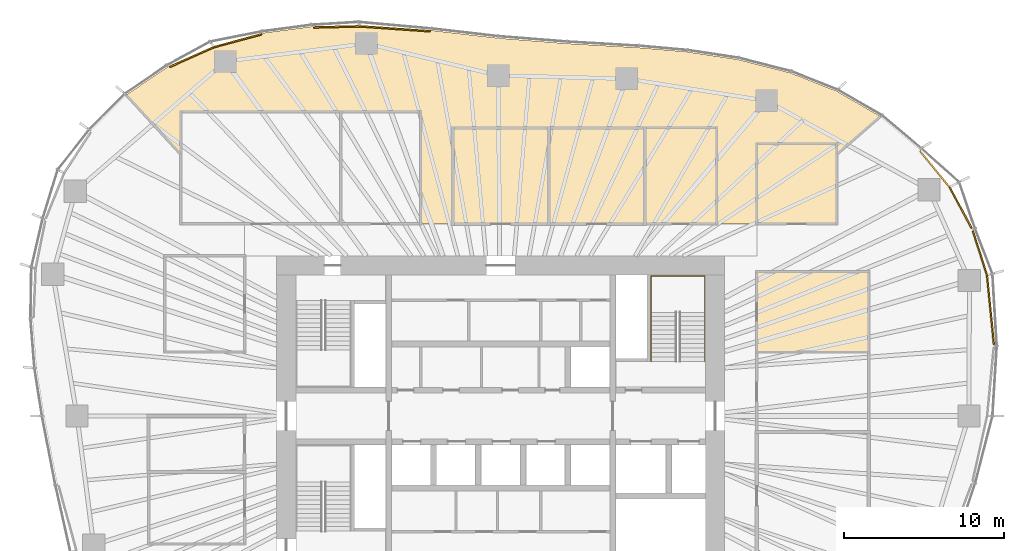
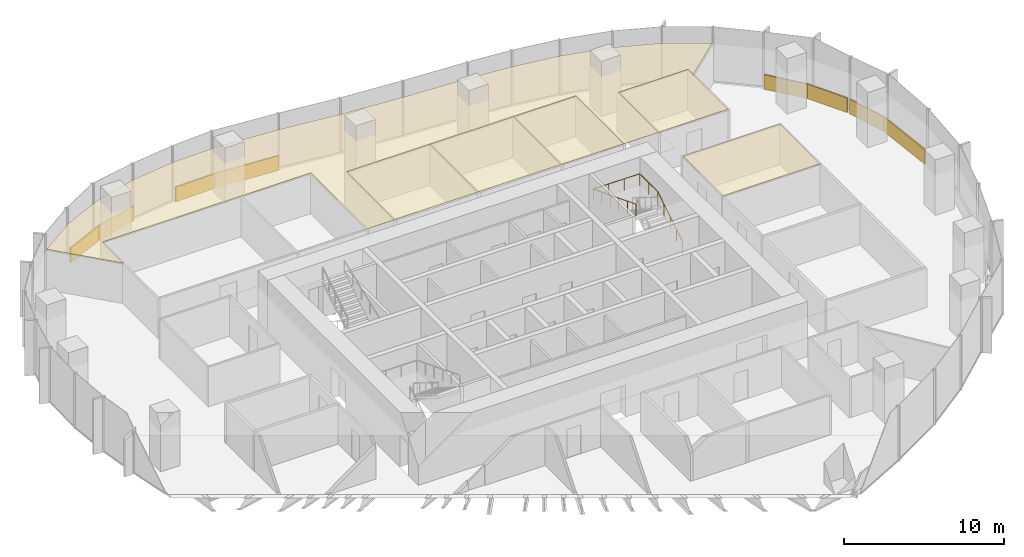
# One storey, part 18 of 18: 14 coverings, 1 railing.
"""IFC4 building model written with IfcOpenShell, lengths in metres."""

from ifc_helpers import new_model, si_unit, direction, frame, origin, origin_2d, place, context, subcontext, project, spatial, polyline, rectangle, circle, outline, extrude, material, layer, layer_set, type_object, element, save


model = new_model("IFC4")

# Units and contexts
model_context = context("Model", 3, precision=1e-05, world=origin(), true_north=direction((0.0, 1.0)))
body_context = subcontext(model_context, "Body", "Model", "MODEL_VIEW")
ifc_project = project(units=[si_unit("LENGTHUNIT", "METRE"), si_unit("AREAUNIT", "SQUARE_METRE"), si_unit("VOLUMEUNIT", "CUBIC_METRE"), si_unit("PLANEANGLEUNIT", "RADIAN"), si_unit("MASSUNIT", "GRAM", prefix="KILO")], contexts=[model_context])

# Site, building, storey
site_placement = place(None, origin())
site = spatial("IfcSite", under=ifc_project, at=site_placement, CompositionType="ELEMENT")
building_placement = place(site_placement, origin())
building = spatial("IfcBuilding", under=site, at=building_placement, Name="Ghaith Harvest Tower", CompositionType="ELEMENT")
storey_placement = place(building_placement, frame((0.0, 0.0, 163.800048828125)))
storey = spatial("IfcBuildingStorey", under=building, at=storey_placement, Name="L35", CompositionType="ELEMENT", Elevation=163.800048828125)

# Coverings
ifc_material_1 = material(Name="Mineral fibre ceiling tile", Category="gypsum")
ifc_layer_1 = layer(ifc_material_1, 0.02001953125)
ifc_layer_set_1 = layer_set([ifc_layer_1], Name="CEILING C1")
covering_type_1 = type_object("IfcCoveringType", Name="CEILING C1", PredefinedType="CEILING", material=ifc_layer_set_1)
covering_1_placement = place(storey_placement, frame((0.0, 0.0, 3.0)))
element("IfcCovering", 1, at=covering_1_placement, inside=storey, type_object=covering_type_1, Name="Ceiling L35-07", PredefinedType="CEILING", context=body_context, shape_type="SweptSolid", body=[
    extrude(outline(polyline([(-3.0, 12.0), (3.0, 12.0), (3.0, 18.0), (-3.0, 18.0), (-3.0, 12.0)])), origin(), (0.0, 0.0, 1.0), 0.02001953125),
])
covering_2_placement = place(storey_placement, frame((0.0, 0.0, 3.0)))
element("IfcCovering", 2, at=covering_2_placement, inside=storey, type_object=covering_type_1, Name="Ceiling L35-08", PredefinedType="CEILING", context=body_context, shape_type="SweptSolid", body=[
    extrude(outline(polyline([(3.0, 12.0), (9.0, 12.0), (9.0, 18.0), (3.0, 18.0), (3.0, 12.0)])), origin(), (0.0, 0.0, 1.0), 0.02001953125),
])
covering_3_placement = place(storey_placement, frame((0.0, 0.0, 3.0)))
element("IfcCovering", 3, at=covering_3_placement, inside=storey, type_object=covering_type_1, Name="Ceiling L35-09", PredefinedType="CEILING", context=body_context, shape_type="SweptSolid", body=[
    extrude(outline(polyline([(9.0, 12.0), (13.5, 12.0), (13.5, 18.0), (9.0, 18.0), (9.0, 12.0)])), origin(), (0.0, 0.0, 1.0), 0.02001953125),
])
covering_4_placement = place(storey_placement, frame((0.0, 0.0, 3.0)))
element("IfcCovering", 4, at=covering_4_placement, inside=storey, type_object=covering_type_1, Name="Ceiling L35-12", PredefinedType="CEILING", context=body_context, shape_type="SweptSolid", body=[
    extrude(outline(polyline([(16.0, 4.0), (23.0, 4.0), (23.0, 9.0), (16.0, 9.0), (16.0, 4.0)])), origin(), (0.0, 0.0, 1.0), 0.02001953125),
])
covering_5_placement = place(storey_placement, frame((0.0, 0.0, 3.0)))
element("IfcCovering", 5, at=covering_5_placement, inside=storey, type_object=covering_type_1, Name="Ceiling L35-15", PredefinedType="CEILING", context=body_context, shape_type="SweptSolid", body=[
    extrude(outline(polyline([(16.0, 12.0), (21.0, 12.0), (21.0, 17.0), (16.0, 17.0), (16.0, 12.0)])), origin(), (0.0, 0.0, 1.0), 0.02001953125),
])
covering_6_placement = place(storey_placement, frame((0.0, 0.0, 3.0)))
element("IfcCovering", 6, at=covering_6_placement, inside=storey, type_object=covering_type_1, Name="Ceiling L35-N1", PredefinedType="CEILING", context=body_context, shape_type="SweptSolid", body=[
    extrude(outline(polyline([(-20.79248046875, 21.82470703125), (-17.938232421875, 23.097412109375), (-14.860595703125, 23.927978515625), (-11.788818359375, 24.331787109375), (-8.814208984375, 24.404541015625), (-4.302001953125, 24.089111328125), (-0.16162109375, 23.609619140625), (4.125732421875, 23.272705078125), (8.604736328125, 23.017333984375), (11.617919921875, 22.757080078125), (14.79833984375, 22.27978515625), (18.0849609375, 21.4462890625), (20.97998046875, 20.3056640625), (23.7275390625, 18.718017578125), (21.0, 16.3466796875), (21.0, 17.0), (16.0, 17.0), (16.0, 12.0), (13.5, 12.0), (13.5, 18.0), (-3.0, 18.0), (-3.0, 12.0), (-5.0, 12.0), (-5.0, 19.0), (-20.0, 19.0), (-20.0, 16.3583984375), (-23.398193359375, 20.06103515625), (-20.79248046875, 21.82470703125)])), origin(), (0.0, 0.0, 1.0), 0.02001953125),
])

# Railing
ifc_material_2 = material(Name="Steel, black powder-coated", Category="steel")
railing_type = type_object("IfcRailingType", Name="HANDRAIL HR1", PredefinedType="HANDRAIL", material=ifc_material_2)
railing_placement = place(storey_placement, frame((12.75, 3.39990234375, 0.175048828125)))
element("IfcRailing", 7, at=railing_placement, inside=storey, type_object=railing_type, Name="Handrail HR1 stair ST2 L35 wall side", PredefinedType="HANDRAIL", context=body_context, shape_type="SweptSolid", body=[
    extrude(circle(Radius=0.02392578125, at=origin_2d()), frame((0.0, 0.0, 0.8759765625), z_axis=(0.0, 0.848028513186, 0.529950602248), x_axis=(-1.0, 0.0, 0.0)), (0.0, 0.0, 1.0), 3.632080078125),
    extrude(circle(Radius=0.02392578125, at=origin_2d()), frame((0.0, 3.080078125, 2.80078125), z_axis=(0.0, 1.0, 0.0), x_axis=(-1.0, 0.0, 0.0)), (0.0, 0.0, 1.0), 2.27001953125),
    extrude(circle(Radius=0.02392578125, at=origin_2d()), frame((0.0, 5.35009765625, 2.80078125), z_axis=(-1.0, 0.0, 0.0), x_axis=(0.0, -1.0, 0.0)), (0.0, 0.0, 1.0), 3.35009765625),
    extrude(circle(Radius=0.02392578125, at=origin_2d()), frame((-3.35009765625, 5.35009765625, 2.80078125), z_axis=(0.0, -0.930853684876, 0.365392141887), x_axis=(1.0, 0.0, 0.0)), (0.0, 0.0, 1.0), 5.74755859375),
    extrude(circle(Radius=0.02099609375, at=origin_2d()), origin(), (0.0, 0.0, 1.0), 0.851806640625),
    extrude(circle(Radius=0.02099609375, at=origin_2d()), frame((0.0, 0.77001953125, 0.481201171875)), (0.0, 0.0, 1.0), 0.851806640625),
    extrude(circle(Radius=0.02099609375, at=origin_2d()), frame((0.0, 1.5400390625, 0.96240234375)), (0.0, 0.0, 1.0), 0.851806640625),
    extrude(circle(Radius=0.02099609375, at=origin_2d()), frame((0.0, 2.31005859375, 1.443603515625)), (0.0, 0.0, 1.0), 0.851806640625),
    extrude(circle(Radius=0.02099609375, at=origin_2d()), frame((0.0, 3.080078125, 1.9248046875)), (0.0, 0.0, 1.0), 0.851806640625),
    extrude(circle(Radius=0.02099609375, at=origin_2d()), frame((0.0, 4.215087890625, 1.9248046875)), (0.0, 0.0, 1.0), 0.851806640625),
    extrude(circle(Radius=0.02099609375, at=origin_2d()), frame((0.0, 5.35009765625, 1.9248046875)), (0.0, 0.0, 1.0), 0.851806640625),
    extrude(circle(Radius=0.02099609375, at=origin_2d()), frame((-1.11669921875, 5.35009765625, 1.9248046875)), (0.0, 0.0, 1.0), 0.851806640625),
    extrude(circle(Radius=0.02099609375, at=origin_2d()), frame((-2.2333984375, 5.35009765625, 1.9248046875)), (0.0, 0.0, 1.0), 0.851806640625),
    extrude(circle(Radius=0.02099609375, at=origin_2d()), frame((-3.35009765625, 5.35009765625, 1.9248046875)), (0.0, 0.0, 1.0), 0.851806640625),
    extrude(circle(Radius=0.02099609375, at=origin_2d()), frame((-3.35009765625, 4.280029296875, 2.3447265625)), (0.0, 0.0, 1.0), 0.851806640625),
    extrude(circle(Radius=0.02099609375, at=origin_2d()), frame((-3.35009765625, 3.2099609375, 2.764892578125)), (0.0, 0.0, 1.0), 0.851806640625),
    extrude(circle(Radius=0.02099609375, at=origin_2d()), frame((-3.35009765625, 2.14013671875, 3.184814453125)), (0.0, 0.0, 1.0), 0.851806640625),
    extrude(circle(Radius=0.02099609375, at=origin_2d()), frame((-3.35009765625, 1.070068359375, 3.60498046875)), (0.0, 0.0, 1.0), 0.851806640625),
    extrude(circle(Radius=0.02099609375, at=origin_2d()), frame((-3.35009765625, 0.0, 4.02490234375)), (0.0, 0.0, 1.0), 0.851806640625),
])

# Coverings
ifc_material_3 = material(Name="Insulated aluminium spandrel panel on steel framing", Category="steel")
ifc_layer_2 = layer(ifc_material_3, 0.10009765625)
ifc_layer_set_2 = layer_set([ifc_layer_2], Name="SLAB EDGE UPSTAND 1100x100")
covering_type_2 = type_object("IfcCoveringType", Name="SLAB EDGE UPSTAND 1100x100", PredefinedType="CLADDING", material=ifc_layer_set_2)
covering_7_placement = place(storey_placement, frame((30.604736328125, 6.630126953125, 0.0), z_axis=(0.0, 0.0, 1.0), x_axis=(-0.099131765681, 0.995074315332, 0.0)))
element("IfcCovering", 8, at=covering_7_placement, inside=storey, type_object=covering_type_2, Name="Slab edge upstand 2 bay 01 L35", PredefinedType="CLADDING", context=body_context, shape_type="SweptSolid", body=[
    extrude(rectangle(XDim=4.346435546875, YDim=0.10009765625, at=origin_2d()), origin(), (0.0, 0.0, 1.0), 1.10009765625),
])
covering_8_placement = place(storey_placement, frame((29.948486328125, 10.171875, 0.0), z_axis=(0.0, 0.0, 1.0), x_axis=(-0.303716894855, 0.952762324916, 0.0)))
element("IfcCovering", 9, at=covering_8_placement, inside=storey, type_object=covering_type_2, Name="Slab edge upstand 1 bay 02 L35", PredefinedType="CLADDING", context=body_context, shape_type="SweptSolid", body=[
    extrude(rectangle(XDim=2.916748046875, YDim=0.10009765625, at=origin_2d()), origin(), (0.0, 0.0, 1.0), 1.10009765625),
])
for number, where, z_axis, x_axis, name in (
    (10, (28.738037109375, 13.018798828125, 0.0), (0.0, 0.0, 1.0), (-0.475408661811, 0.87976508471, 0.0), "Slab edge upstand 2 bay 02 L35"),
    (11, (27.127197265625, 15.4228515625, 0.0), (0.0, 0.0, 1.0), (-0.632969558548, 0.774176683937, 0.0), "Slab edge upstand 3 bay 02 L35"),
):
    element("IfcCovering", number, at=place(storey_placement, frame(where, z_axis=z_axis, x_axis=x_axis)), inside=storey, type_object=covering_type_2, Name=name, PredefinedType="CLADDING", context=body_context, shape_type="SweptSolid", body=[
        extrude(rectangle(XDim=2.91650390625, YDim=0.10009765625, at=origin_2d()), origin(), (0.0, 0.0, 1.0), 1.10009765625),
    ])
covering_9_placement = place(storey_placement, frame((-6.611572265625, 24.200439453125, 0.0), z_axis=(0.0, 0.0, 1.0), x_axis=(-0.997566199698, 0.069725728542, 0.0)))
element("IfcCovering", 12, at=covering_9_placement, inside=storey, type_object=covering_type_2, Name="Slab edge upstand 2 bay 06 L35", PredefinedType="CLADDING", context=body_context, shape_type="SweptSolid", body=[
    extrude(rectangle(XDim=4.42333984375, YDim=0.10009765625, at=origin_2d()), origin(), (0.0, 0.0, 1.0), 1.10009765625),
])
covering_10_placement = place(storey_placement, frame((-10.25048828125, 24.3193359375, 0.0), z_axis=(0.0, 0.0, 1.0), x_axis=(-0.999700846757, -0.024458474865, 0.0)))
element("IfcCovering", 13, at=covering_10_placement, inside=storey, type_object=covering_type_2, Name="Slab edge upstand 1 bay 07 L35", PredefinedType="CLADDING", context=body_context, shape_type="SweptSolid", body=[
    extrude(rectangle(XDim=2.87548828125, YDim=0.10009765625, at=origin_2d()), origin(), (0.0, 0.0, 1.0), 1.10009765625),
])
covering_11_placement = place(storey_placement, frame((-16.4345703125, 23.451416015625, 0.0), z_axis=(0.0, 0.0, 1.0), x_axis=(-0.965455035926, -0.260569709685, 0.0)))
element("IfcCovering", 14, at=covering_11_placement, inside=storey, type_object=covering_type_2, Name="Slab edge upstand 3 bay 07 L35", PredefinedType="CLADDING", context=body_context, shape_type="SweptSolid", body=[
    extrude(rectangle(XDim=3.087890625, YDim=0.10009765625, at=origin_2d()), origin(), (0.0, 0.0, 1.0), 1.10009765625),
])
covering_12_placement = place(storey_placement, frame((-19.29931640625, 22.435791015625, 0.0), z_axis=(0.0, 0.0, 1.0), x_axis=(-0.913334621001, -0.40720986, 0.0)))
element("IfcCovering", 15, at=covering_12_placement, inside=storey, type_object=covering_type_2, Name="Slab edge upstand 1 bay 08 L35", PredefinedType="CLADDING", context=body_context, shape_type="SweptSolid", body=[
    extrude(rectangle(XDim=3.025146484375, YDim=0.10009765625, at=origin_2d()), origin(), (0.0, 0.0, 1.0), 1.10009765625),
])

save(model, "model.ifc")
